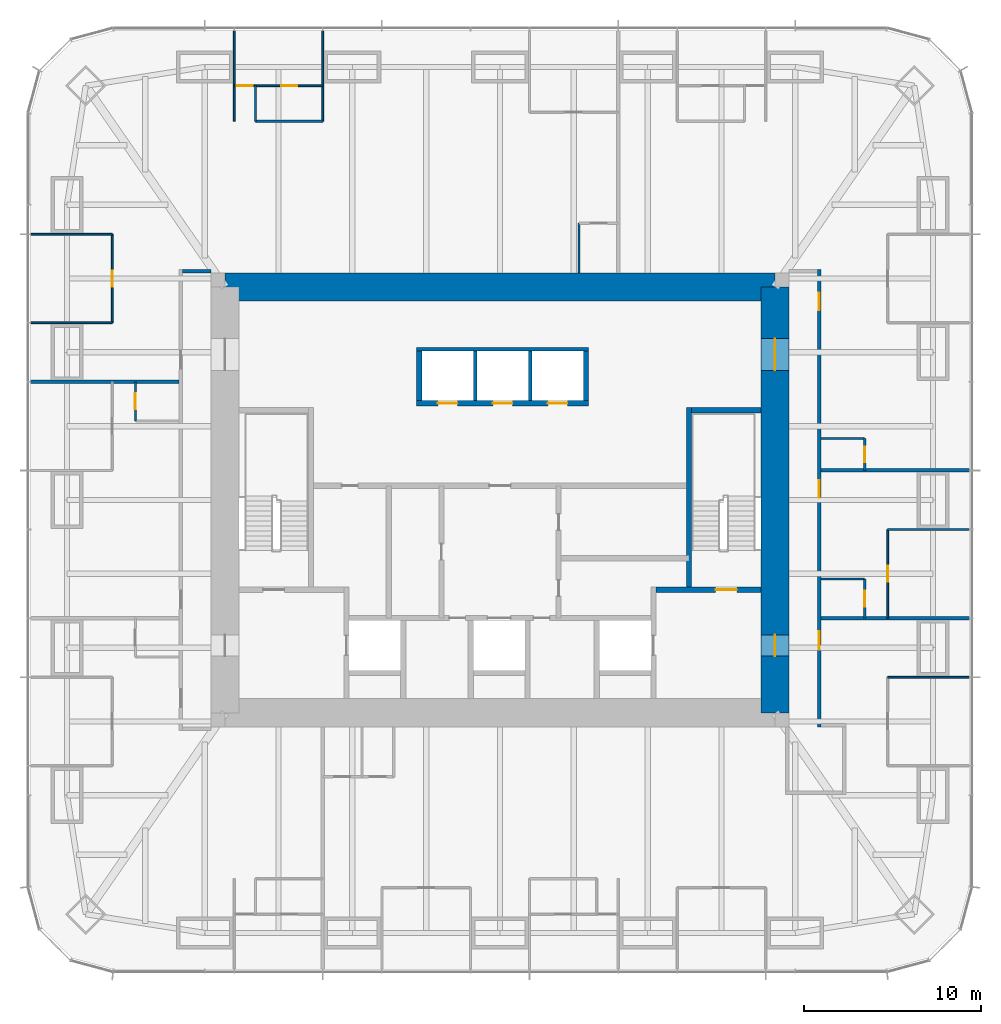
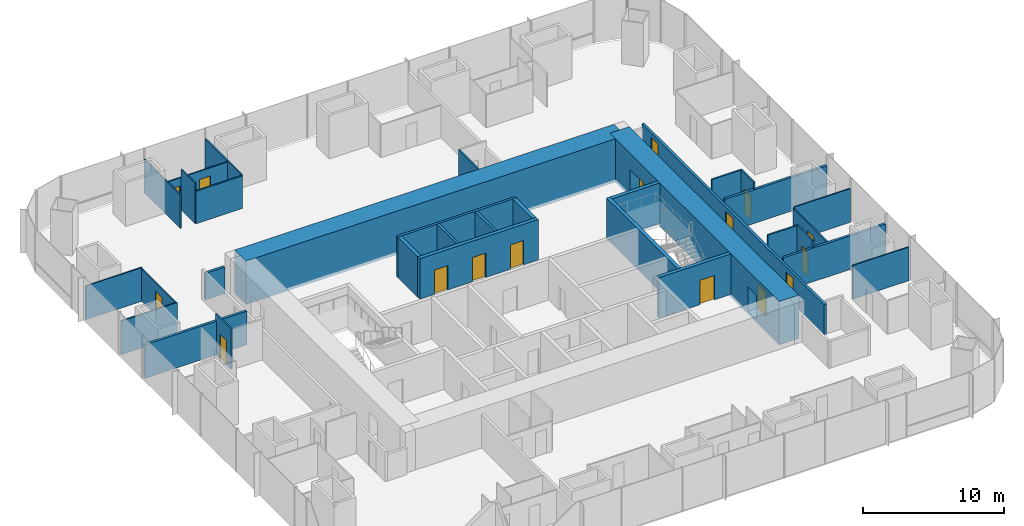
# One storey, part 10 of 12: 33 walls, 16 doors, 16 openings.
"""IFC4 building model written with IfcOpenShell, lengths in metres."""

import ifcopenshell
import ifcopenshell.guid

model = None  # the IFC model being written
_history = None  # IfcOwnerHistory: only IFC2X3 demands one
_inside = {}  # id of a spatial element -> (the spatial element, [elements in it])
_under = {}  # id of a project, library or spatial element -> (it, [spatial elements below it])
_declared = {}  # id of a project -> (the project, [libraries it declares])
_typed = {}  # id of a type object -> (the type object, [elements of that type])
_made_of = {}  # id of a material, layer set ... -> (it, [elements and type objects made of it])


def new_model(schema):
    """Start an empty IFC model of exactly this schema.

    Asked for "IFC4X3", IfcOpenShell would pick the latest addendum, in which some entities
    have other attributes; the version numbers below select the first issue.
    IFC2X3 requires an IfcOwnerHistory on every rooted entity: one is made here for all.
    """
    global model, _history
    if schema == "IFC4X3":
        model = ifcopenshell.file(schema_version=(4, 3, 0, 0))
    else:
        model = ifcopenshell.file(schema=schema)
    _inside.clear()
    _under.clear()
    _declared.clear()
    _typed.clear()
    _made_of.clear()
    _history = None
    if model.schema == "IFC2X3":
        org = make("IfcOrganization", Name="unknown")
        user = make(
            "IfcPersonAndOrganization",
            ThePerson=make("IfcPerson", FamilyName="unknown"),
            TheOrganization=org,
        )
        app = make(
            "IfcApplication",
            ApplicationDeveloper=org,
            Version="unknown",
            ApplicationFullName="unknown",
            ApplicationIdentifier="unknown",
        )
        _history = make(
            "IfcOwnerHistory",
            OwningUser=user,
            OwningApplication=app,
            ChangeAction="ADDED",
            CreationDate=0,
        )
    return model


def make(cls, **values):
    """One entity of the class cls with the attributes given. An attribute that is None is left unset."""
    return model.create_entity(
        cls, **{name: value for name, value in values.items() if value is not None}
    )


def rooted(cls, **values):
    """An entity with a GlobalId (a new one), such as an element, a storey or a relation."""
    return make(cls, GlobalId=ifcopenshell.guid.new(), OwnerHistory=_history, **values)


def si_unit(unit_type, name, prefix=None):
    """IfcSIUnit, for example si_unit("LENGTHUNIT", "METRE", prefix="MILLI")."""
    return make("IfcSIUnit", UnitType=unit_type, Prefix=prefix, Name=name)


def assignment(units):
    """IfcUnitAssignment: the units of a project."""
    return None if units is None else make("IfcUnitAssignment", Units=units)


def point(xyz):
    """IfcCartesianPoint."""
    return None if xyz is None else make("IfcCartesianPoint", Coordinates=xyz)


def direction(xyz):
    """IfcDirection."""
    return None if xyz is None else make("IfcDirection", DirectionRatios=xyz)


def frame(location, z_axis=None, x_axis=None):
    """IfcAxis2Placement3D, a coordinate frame: its origin and axes. An axis left out is left unset."""
    return make(
        "IfcAxis2Placement3D",
        Location=point(location),
        Axis=direction(z_axis),
        RefDirection=direction(x_axis),
    )


def frame_2d(location, x_axis=None):
    """IfcAxis2Placement2D, a coordinate frame in the plane: its origin and x axis."""
    return make(
        "IfcAxis2Placement2D", Location=point(location), RefDirection=direction(x_axis)
    )


def origin():
    """The frame at (0, 0, 0) with its axes left unset."""
    return frame((0.0, 0.0, 0.0))


def place(relative_to, where):
    """IfcLocalPlacement: puts the frame where relative to a parent placement (None: the world)."""
    return make(
        "IfcLocalPlacement", PlacementRelTo=relative_to, RelativePlacement=where
    )


def context(
    kind, dimensions, precision=None, world=None, true_north=None, identifier=None
):
    """IfcGeometricRepresentationContext, for example the 3D "Model" context."""
    return make(
        "IfcGeometricRepresentationContext",
        ContextIdentifier=identifier,
        ContextType=kind,
        CoordinateSpaceDimension=dimensions,
        Precision=precision,
        WorldCoordinateSystem=world,
        TrueNorth=true_north,
    )


def subcontext(parent, identifier, kind, view, scale=None):
    """IfcGeometricRepresentationSubContext, for example "Body" below "Model"."""
    return make(
        "IfcGeometricRepresentationSubContext",
        ContextIdentifier=identifier,
        ContextType=kind,
        ParentContext=parent,
        TargetScale=scale,
        TargetView=view,
    )


def project(units=None, contexts=None):
    """IfcProject with its units and contexts."""
    return rooted(
        "IfcProject",
        Name="project",
        RepresentationContexts=contexts,
        UnitsInContext=assignment(units),
    )


def spatial(cls, under=None, at=None, **own):
    """A site, building, storey or space (cls), placed at a placement, below another one or the project."""
    s = rooted(cls, ObjectPlacement=at, **own)
    if under is not None:
        _under.setdefault(under.id(), (under, []))[1].append(s)
    return s


def profile(cls, at=None, kind="AREA", **sizes):
    """A parametric profile (cls). Its sizes go by their IFC names, for example OverallWidth=200.0."""
    return make(cls, ProfileType=kind, Position=at, **sizes)


def rectangle(**sizes):
    """IfcRectangleProfileDef."""
    return profile("IfcRectangleProfileDef", **sizes)


def extrude(swept, where, along, depth):
    """IfcExtrudedAreaSolid: the profile swept, set in the frame where, extruded along a direction by depth."""
    return make(
        "IfcExtrudedAreaSolid",
        SweptArea=swept,
        Position=where,
        ExtrudedDirection=direction(along),
        Depth=depth,
    )


def shape(context_of_items, identifier, shape_type, items):
    """IfcShapeRepresentation: the items that make up one representation, for example the "Body"."""
    return make(
        "IfcShapeRepresentation",
        ContextOfItems=context_of_items,
        RepresentationIdentifier=identifier,
        RepresentationType=shape_type,
        Items=items,
    )


def material(Name=None, Category=None):
    """IfcMaterial."""
    return make("IfcMaterial", Name=Name, Category=Category)


def layer(
    of_material, thickness, ventilated=None, Name=None, Category=None, Priority=None
):
    """IfcMaterialLayer: one layer of a wall or slab, of a material (None: an air gap)."""
    return make(
        "IfcMaterialLayer",
        Material=of_material,
        LayerThickness=thickness,
        IsVentilated=ventilated,
        Name=Name,
        Category=Category,
        Priority=Priority,
    )


def layer_set(layers, Name=None):
    """IfcMaterialLayerSet."""
    return make("IfcMaterialLayerSet", MaterialLayers=layers, LayerSetName=Name)


def made_of(thing, what):
    """Note that an element or type object is made of a material, layer set ...; save() writes the relation."""
    if what is not None:
        _made_of.setdefault(what.id(), (what, []))[1].append(thing)
    return thing


def type_object(cls, material=None, **own):
    """A type object (cls), such as IfcWallType, which elements share."""
    return made_of(rooted(cls, **own), material)


def element(
    cls,
    number,
    at=None,
    inside=None,
    cuts=None,
    type_object=None,
    material=None,
    context=None,
    identifier="Body",
    shape_type=None,
    held_by="IfcProductDefinitionShape",
    body=None,
    shapes=None,
    **own,
):
    """One element of the class cls, such as IfcWall. Its Tag is "e" and its number.

    at: its placement. inside: the storey or other place that contains it. cuts: it is an
    opening in that element (IfcRelVoidsElement). A single representation is given by context,
    identifier, shape_type and body (its items); several are given by shapes. held_by: the class
    of the entity that holds the representations. save() writes the other relations.
    """
    e = rooted(cls, Tag="e%d" % number, ObjectPlacement=at, **own)
    if body is not None:
        shapes = [shape(context, identifier, shape_type, body)]
    if shapes is not None:
        e.Representation = make(held_by, Representations=shapes)
    if inside is not None:
        _inside.setdefault(inside.id(), (inside, []))[1].append(e)
    if cuts is not None:
        rooted(
            "IfcRelVoidsElement", RelatingBuildingElement=cuts, RelatedOpeningElement=e
        )
    if type_object is not None:
        _typed.setdefault(type_object.id(), (type_object, []))[1].append(e)
    return made_of(e, material)


def fill(opening, filler):
    """IfcRelFillsElement: the door or window that sits in an opening."""
    return rooted(
        "IfcRelFillsElement",
        RelatingOpeningElement=opening,
        RelatedBuildingElement=filler,
    )


def aggregate(whole, parts):
    """IfcRelAggregates: a whole, such as a stair, and the parts it consists of."""
    return rooted("IfcRelAggregates", RelatingObject=whole, RelatedObjects=parts)


def save(model, path):
    """Write the relations noted so far, then the file.

    IfcRelAggregates (storeys below a building ...), IfcRelContainedInSpatialStructure (elements
    in a storey), IfcRelDefinesByType, IfcRelAssociatesMaterial and IfcRelDeclares: one each for
    every whole, place, type object, material and project.
    """
    for whole, parts in _under.values():
        aggregate(whole, parts)
    for where, things in _inside.values():
        rooted(
            "IfcRelContainedInSpatialStructure",
            RelatedElements=things,
            RelatingStructure=where,
        )
    for kind, things in _typed.values():
        rooted("IfcRelDefinesByType", RelatedObjects=things, RelatingType=kind)
    for what, things in _made_of.values():
        rooted("IfcRelAssociatesMaterial", RelatedObjects=things, RelatingMaterial=what)
    for by, libraries in _declared.values():
        rooted("IfcRelDeclares", RelatingContext=by, RelatedDefinitions=libraries)
    model.write(path)


model = new_model("IFC4")

# Units and contexts
model_context = context("Model", 3, precision=1e-05, world=origin(), true_north=direction((0.0, 1.0)))
body_context = subcontext(model_context, "Body", "Model", "MODEL_VIEW")
ifc_project = project(units=[si_unit("LENGTHUNIT", "METRE"), si_unit("AREAUNIT", "SQUARE_METRE"), si_unit("VOLUMEUNIT", "CUBIC_METRE"), si_unit("PLANEANGLEUNIT", "RADIAN"), si_unit("MASSUNIT", "GRAM", prefix="KILO")], contexts=[model_context])

# Site, building, storey
site_placement = place(None, origin())
site = spatial("IfcSite", under=ifc_project, at=site_placement, CompositionType="ELEMENT")
building_placement = place(site_placement, origin())
building = spatial("IfcBuilding", under=site, at=building_placement, Name="Khuree Lantern Residences", CompositionType="ELEMENT")
storey_placement = place(building_placement, frame((0.0, 0.0, 207.0)))
storey = spatial("IfcBuildingStorey", under=building, at=storey_placement, Name="L51", CompositionType="ELEMENT", Elevation=207.0)

# Wall, opening, door
ifc_material_1 = material(Name="Moisture-resistant gypsum board on steel studs", Category="steel")
ifc_layer_1 = layer(ifc_material_1, 0.125)
ifc_layer_set_1 = layer_set([ifc_layer_1], Name="BATHROOM WALL BTW125")
wall_type_1 = type_object("IfcWallType", Name="BATHROOM WALL BTW125", PredefinedType="PARTITIONING", material=ifc_layer_set_1)
wall_1_placement = place(storey_placement, frame((20.550048828125, -6.656005859375, 0.0), z_axis=(0.0, 0.0, 1.0), x_axis=(0.0, 1.0, 0.0)))
wall_1 = element("IfcWall", 1, at=wall_1_placement, inside=storey, type_object=wall_type_1, Name="L51 BATHROOM WALL 01", PredefinedType="PARTITIONING", context=body_context, shape_type="SweptSolid", body=[
    extrude(rectangle(XDim=2.199951171875, YDim=0.125, at=frame_2d((1.10009765625, 0.0))), origin(), (0.0, 0.0, 1.0), 3.5),
])
opening_1_placement = place(wall_1_placement, frame((0.64990234375, 0.0, 0.0)))
opening_1 = element("IfcOpeningElement", 2, at=opening_1_placement, cuts=wall_1, Name="Opening 51-021", PredefinedType="OPENING", context=body_context, shape_type="SweptSolid", body=[
    extrude(rectangle(XDim=0.89990234375, YDim=2.10009765625, at=frame_2d((0.449951171875, 1.050048828125))), frame((0.0, 0.072509765625, 0.0), z_axis=(0.0, -1.0, 0.0), x_axis=(1.0, 0.0, 0.0)), (0.0, 0.0, 1.0), 0.14501953125),
])
ifc_material_2 = material(Name="Timber door leaf in hardwood frame", Category="wood")
door_type_1 = type_object("IfcDoorType", Name="BATHROOM DOOR 900X2100", OperationType="SINGLE_SWING_LEFT", PredefinedType="DOOR", material=ifc_material_2)
door_1_placement = place(opening_1_placement, origin())
door_1 = element("IfcDoor", 3, at=door_1_placement, inside=storey, type_object=door_type_1, Name="Bathroom door 51-021", OperationType="SINGLE_SWING_LEFT", OverallHeight=2.10009765625, OverallWidth=0.89990234375, PredefinedType="DOOR", context=body_context, shape_type="SweptSolid", body=[
    extrude(rectangle(XDim=0.89990234375, YDim=2.10009765625, at=frame_2d((0.449951171875, 1.050048828125))), frame((0.0, 0.02490234375, 0.0), z_axis=(0.0, -1.0, 0.0), x_axis=(1.0, 0.0, 0.0)), (0.0, 0.0, 1.0), 0.050048828125),
])
fill(opening_1, door_1)

# Wall
wall_2_placement = place(storey_placement, frame((18.10009765625, -4.4560546875, 0.0), z_axis=(0.0, 0.0, 1.0), x_axis=(1.0, 0.0, 0.0)))
element("IfcWall", 4, at=wall_2_placement, inside=storey, type_object=wall_type_1, Name="L51 BATHROOM WALL 01", PredefinedType="PARTITIONING", context=body_context, shape_type="SweptSolid", body=[
    extrude(rectangle(XDim=2.449951171875, YDim=0.125, at=frame_2d((1.22509765625, 0.0))), origin(), (0.0, 0.0, 1.0), 3.5),
])

# Wall, opening, door
wall_3_placement = place(storey_placement, frame((20.550048828125, 1.6640625, 0.0), z_axis=(0.0, 0.0, 1.0), x_axis=(0.0, 1.0, 0.0)))
wall_3 = element("IfcWall", 5, at=wall_3_placement, inside=storey, type_object=wall_type_1, Name="L51 BATHROOM WALL 02", PredefinedType="PARTITIONING", context=body_context, shape_type="SweptSolid", body=[
    extrude(rectangle(XDim=1.800048828125, YDim=0.125, at=frame_2d((0.89990234375, 0.0))), origin(), (0.0, 0.0, 1.0), 3.5),
])
opening_2_placement = place(wall_3_placement, frame((0.449951171875, 0.0, 0.0)))
opening_2 = element("IfcOpeningElement", 6, at=opening_2_placement, cuts=wall_3, Name="Opening 51-026", PredefinedType="OPENING", context=body_context, shape_type="SweptSolid", body=[
    extrude(rectangle(XDim=0.89990234375, YDim=2.10009765625, at=frame_2d((0.449951171875, 1.050048828125))), frame((0.0, 0.072509765625, 0.0), z_axis=(0.0, -1.0, 0.0), x_axis=(1.0, 0.0, 0.0)), (0.0, 0.0, 1.0), 0.14501953125),
])
door_2_placement = place(opening_2_placement, origin())
door_2 = element("IfcDoor", 7, at=door_2_placement, inside=storey, type_object=door_type_1, Name="Bathroom door 51-026", OperationType="SINGLE_SWING_LEFT", OverallHeight=2.10009765625, OverallWidth=0.89990234375, PredefinedType="DOOR", context=body_context, shape_type="SweptSolid", body=[
    extrude(rectangle(XDim=0.89990234375, YDim=2.10009765625, at=frame_2d((0.449951171875, 1.050048828125))), frame((0.0, 0.02490234375, 0.0), z_axis=(0.0, -1.0, 0.0), x_axis=(1.0, 0.0, 0.0)), (0.0, 0.0, 1.0), 0.050048828125),
])
fill(opening_2, door_2)

# Walls
wall_4_placement = place(storey_placement, frame((18.10009765625, 3.464111328125, 0.0), z_axis=(0.0, 0.0, 1.0), x_axis=(1.0, 0.0, 0.0)))
element("IfcWall", 8, at=wall_4_placement, inside=storey, type_object=wall_type_1, Name="L51 BATHROOM WALL 02", PredefinedType="PARTITIONING", context=body_context, shape_type="SweptSolid", body=[
    extrude(rectangle(XDim=2.449951171875, YDim=0.125, at=frame_2d((1.22509765625, 0.0))), origin(), (0.0, 0.0, 1.0), 3.5),
])
wall_5_placement = place(storey_placement, frame((-9.98388671875, 21.344970703125, 0.0), z_axis=(0.0, 0.0, 1.0), x_axis=(-1.0, 0.0, 0.0)))
element("IfcWall", 9, at=wall_5_placement, inside=storey, type_object=wall_type_1, Name="L51 BATHROOM WALL 03", PredefinedType="PARTITIONING", context=body_context, shape_type="SweptSolid", body=[
    extrude(rectangle(XDim=3.7919921875, YDim=0.125, at=frame_2d((1.89599609375, 0.0))), origin(), (0.0, 0.0, 1.0), 2.81005859375),
])
wall_6_placement = place(storey_placement, frame((4.4560546875, 12.800048828125, 0.0), z_axis=(0.0, 0.0, 1.0), x_axis=(0.0, 1.0, 0.0)))
element("IfcWall", 10, at=wall_6_placement, inside=storey, type_object=wall_type_1, Name="L51 BATHROOM WALL 03", PredefinedType="PARTITIONING", context=body_context, shape_type="SweptSolid", body=[
    extrude(rectangle(XDim=2.800048828125, YDim=0.125, at=frame_2d((1.39990234375, 0.0))), origin(), (0.0, 0.0, 1.0), 3.5),
])

# Wall, opening, door
wall_7_placement = place(storey_placement, frame((-20.550048828125, 6.656005859375, 0.0), z_axis=(0.0, 0.0, 1.0), x_axis=(0.0, -1.0, 0.0)))
wall_7 = element("IfcWall", 11, at=wall_7_placement, inside=storey, type_object=wall_type_1, Name="L51 BATHROOM WALL 04", PredefinedType="PARTITIONING", context=body_context, shape_type="SweptSolid", body=[
    extrude(rectangle(XDim=2.199951171875, YDim=0.125, at=frame_2d((1.10009765625, 0.0))), origin(), (0.0, 0.0, 1.0), 3.5),
])
opening_3_placement = place(wall_7_placement, frame((0.64990234375, 0.0, 0.0)))
opening_3 = element("IfcOpeningElement", 12, at=opening_3_placement, cuts=wall_7, Name="Opening 51-035", PredefinedType="OPENING", context=body_context, shape_type="SweptSolid", body=[
    extrude(rectangle(XDim=0.89990234375, YDim=2.10009765625, at=frame_2d((0.449951171875, 1.050048828125))), frame((0.0, 0.072509765625, 0.0), z_axis=(0.0, -1.0, 0.0), x_axis=(1.0, 0.0, 0.0)), (0.0, 0.0, 1.0), 0.14501953125),
])
door_3_placement = place(opening_3_placement, origin())
door_3 = element("IfcDoor", 13, at=door_3_placement, inside=storey, type_object=door_type_1, Name="Bathroom door 51-035", OperationType="SINGLE_SWING_LEFT", OverallHeight=2.10009765625, OverallWidth=0.89990234375, PredefinedType="DOOR", context=body_context, shape_type="SweptSolid", body=[
    extrude(rectangle(XDim=0.89990234375, YDim=2.10009765625, at=frame_2d((0.449951171875, 1.050048828125))), frame((0.0, 0.02490234375, 0.0), z_axis=(0.0, -1.0, 0.0), x_axis=(1.0, 0.0, 0.0)), (0.0, 0.0, 1.0), 0.050048828125),
])
fill(opening_3, door_3)

# Wall, openings, doors
ifc_material_3 = material(Name="Dense concrete blockwork", Category="masonry")
ifc_layer_2 = layer(ifc_material_3, 0.300048828125)
ifc_layer_set_2 = layer_set([ifc_layer_2], Name="CORE PARTITION WALL CPW300 EI 120")
wall_type_2 = type_object("IfcWallType", Name="CORE PARTITION WALL CPW300 EI 120", PredefinedType="PARTITIONING", material=ifc_layer_set_2)
wall_8_placement = place(storey_placement, frame((-4.699951171875, 5.449951171875, 0.0), z_axis=(0.0, 0.0, 1.0), x_axis=(1.0, 0.0, 0.0)))
wall_8 = element("IfcWall", 14, at=wall_8_placement, inside=storey, type_object=wall_type_2, Name="L51 CORE WALL PHS", PredefinedType="PARTITIONING", context=body_context, shape_type="SweptSolid", body=[
    extrude(rectangle(XDim=9.699951171875, YDim=0.300048828125, at=frame_2d((4.85009765625, 0.0))), origin(), (0.0, 0.0, 1.0), 3.5),
])
opening_4_placement = place(wall_8_placement, frame((1.199951171875, 0.0, 0.0)))
opening_4 = element("IfcOpeningElement", 15, at=opening_4_placement, cuts=wall_8, Name="Opening 51-009", PredefinedType="OPENING", context=body_context, shape_type="SweptSolid", body=[
    extrude(rectangle(XDim=1.10009765625, YDim=2.10009765625, at=frame_2d((0.550048828125, 1.050048828125))), frame((0.0, 0.16015625, 0.0), z_axis=(0.0, -1.0, 0.0), x_axis=(1.0, 0.0, 0.0)), (0.0, 0.0, 1.0), 0.320068359375),
])
opening_5_placement = place(wall_8_placement, frame((4.300048828125, 0.0, 0.0)))
opening_5 = element("IfcOpeningElement", 16, at=opening_5_placement, cuts=wall_8, Name="Opening 51-010", PredefinedType="OPENING", context=body_context, shape_type="SweptSolid", body=[
    extrude(rectangle(XDim=1.10009765625, YDim=2.10009765625, at=frame_2d((0.550048828125, 1.050048828125))), frame((0.0, 0.16015625, 0.0), z_axis=(0.0, -1.0, 0.0), x_axis=(1.0, 0.0, 0.0)), (0.0, 0.0, 1.0), 0.320068359375),
])
opening_6_placement = place(wall_8_placement, frame((7.39990234375, 0.0, 0.0)))
opening_6 = element("IfcOpeningElement", 17, at=opening_6_placement, cuts=wall_8, Name="Opening 51-011", PredefinedType="OPENING", context=body_context, shape_type="SweptSolid", body=[
    extrude(rectangle(XDim=1.10009765625, YDim=2.10009765625, at=frame_2d((0.550048828125, 1.050048828125))), frame((0.0, 0.16015625, 0.0), z_axis=(0.0, -1.0, 0.0), x_axis=(1.0, 0.0, 0.0)), (0.0, 0.0, 1.0), 0.320068359375),
])
ifc_material_4 = material(Name="Stainless steel lift landing door", Category="steel")
door_type_2 = type_object("IfcDoorType", Name="LIFT LANDING DOOR 1100X2100 E 60", OperationType="DOUBLE_DOOR_SLIDING", PredefinedType="DOOR", material=ifc_material_4)
door_4_placement = place(opening_4_placement, origin())
door_4 = element("IfcDoor", 18, at=door_4_placement, inside=storey, type_object=door_type_2, Name="Landing door PH1 51-009", OperationType="DOUBLE_DOOR_SLIDING", OverallHeight=2.10009765625, OverallWidth=1.10009765625, PredefinedType="DOOR", context=body_context, shape_type="SweptSolid", body=[
    extrude(rectangle(XDim=1.10009765625, YDim=2.10009765625, at=frame_2d((0.550048828125, 1.050048828125))), frame((0.0, 0.02490234375, 0.0), z_axis=(0.0, -1.0, 0.0), x_axis=(1.0, 0.0, 0.0)), (0.0, 0.0, 1.0), 0.050048828125),
])
fill(opening_4, door_4)
door_5_placement = place(opening_5_placement, origin())
door_5 = element("IfcDoor", 19, at=door_5_placement, inside=storey, type_object=door_type_2, Name="Landing door PH2 51-010", OperationType="DOUBLE_DOOR_SLIDING", OverallHeight=2.10009765625, OverallWidth=1.10009765625, PredefinedType="DOOR", context=body_context, shape_type="SweptSolid", body=[
    extrude(rectangle(XDim=1.10009765625, YDim=2.10009765625, at=frame_2d((0.550048828125, 1.050048828125))), frame((0.0, 0.02490234375, 0.0), z_axis=(0.0, -1.0, 0.0), x_axis=(1.0, 0.0, 0.0)), (0.0, 0.0, 1.0), 0.050048828125),
])
fill(opening_5, door_5)
door_6_placement = place(opening_6_placement, origin())
door_6 = element("IfcDoor", 20, at=door_6_placement, inside=storey, type_object=door_type_2, Name="Landing door PH3 51-011", OperationType="DOUBLE_DOOR_SLIDING", OverallHeight=2.10009765625, OverallWidth=1.10009765625, PredefinedType="DOOR", context=body_context, shape_type="SweptSolid", body=[
    extrude(rectangle(XDim=1.10009765625, YDim=2.10009765625, at=frame_2d((0.550048828125, 1.050048828125))), frame((0.0, 0.02490234375, 0.0), z_axis=(0.0, -1.0, 0.0), x_axis=(1.0, 0.0, 0.0)), (0.0, 0.0, 1.0), 0.050048828125),
])
fill(opening_6, door_6)

# Walls
for number, where, z_axis, x_axis, name in (
    (21, (-4.550048828125, 5.60009765625, 0.0), (0.0, 0.0, 1.0), (0.0, 1.0, 0.0), "L51 CORE WALL PHW"),
    (22, (4.85009765625, 5.60009765625, 0.0), (0.0, 0.0, 1.0), (0.0, 1.0, 0.0), "L51 CORE WALL PHE"),
):
    element("IfcWall", number, at=place(storey_placement, frame(where, z_axis=z_axis, x_axis=x_axis)), inside=storey, type_object=wall_type_2, Name=name, PredefinedType="PARTITIONING", context=body_context, shape_type="SweptSolid", body=[
        extrude(rectangle(XDim=2.7998046875, YDim=0.300048828125, at=frame_2d((1.39990234375, 0.0))), origin(), (0.0, 0.0, 1.0), 3.5),
    ])
ifc_material_5 = material(Name="Gypsum board on steel studs", Category="steel")
ifc_layer_3 = layer(ifc_material_5, 0.199951171875)
ifc_layer_set_3 = layer_set([ifc_layer_3], Name="CORRIDOR WALL CRW200 EI 60")
wall_type_3 = type_object("IfcWallType", Name="CORRIDOR WALL CRW200 EI 60", PredefinedType="PARTITIONING", material=ifc_layer_set_3)
wall_9_placement = place(storey_placement, frame((-16.300048828125, 12.89990234375, 0.0), z_axis=(0.0, 0.0, 1.0), x_axis=(-1.0, 0.0, 0.0)))
element("IfcWall", 23, at=wall_9_placement, inside=storey, type_object=wall_type_3, Name="L51 WEST CORRIDOR NORTH END WALL", PredefinedType="PARTITIONING", context=body_context, shape_type="SweptSolid", body=[
    extrude(rectangle(XDim=1.599853515625, YDim=0.199951171875, at=frame_2d((0.7998046875, 0.0))), origin(), (0.0, 0.0, 1.0), 2.300048828125),
])

# Wall, openings, doors
wall_10_placement = place(storey_placement, frame((18.0, -12.800048828125, 0.0), z_axis=(0.0, 0.0, 1.0), x_axis=(0.0, 1.0, 0.0)))
wall_10 = element("IfcWall", 24, at=wall_10_placement, inside=storey, type_object=wall_type_3, Name="L51 CORRIDOR WALL EAST 1", PredefinedType="PARTITIONING", context=body_context, shape_type="SweptSolid", body=[
    extrude(rectangle(XDim=25.800048828125, YDim=0.199951171875, at=frame_2d((12.89990234375, 0.0))), origin(), (0.0, 0.0, 1.0), 2.60009765625),
])
opening_7_placement = place(wall_10_placement, frame((12.9140625, 0.0, 0.0)))
opening_7 = element("IfcOpeningElement", 25, at=opening_7_placement, cuts=wall_10, Name="Opening 51-022", PredefinedType="OPENING", context=body_context, shape_type="SweptSolid", body=[
    extrude(rectangle(XDim=1.0, YDim=2.199951171875, at=frame_2d((0.5, 1.10009765625))), frame((0.0, 0.10986328125, 0.0), z_axis=(0.0, -1.0, 0.0), x_axis=(1.0, 0.0, 0.0)), (0.0, 0.0, 1.0), 0.219970703125),
])
opening_8_placement = place(wall_10_placement, frame((23.48388671875, 0.0, 0.0)))
opening_8 = element("IfcOpeningElement", 26, at=opening_8_placement, cuts=wall_10, Name="Opening 51-027", PredefinedType="OPENING", context=body_context, shape_type="SweptSolid", body=[
    extrude(rectangle(XDim=1.0, YDim=2.199951171875, at=frame_2d((0.5, 1.10009765625))), frame((0.0, 0.10986328125, 0.0), z_axis=(0.0, -1.0, 0.0), x_axis=(1.0, 0.0, 0.0)), (0.0, 0.0, 1.0), 0.219970703125),
])
opening_9_placement = place(wall_10_placement, frame((4.39990234375, 0.0, 0.0)))
opening_9 = element("IfcOpeningElement", 27, at=opening_9_placement, cuts=wall_10, Name="Opening 51-049", PredefinedType="OPENING", context=body_context, shape_type="SweptSolid", body=[
    extrude(rectangle(XDim=1.0, YDim=2.199951171875, at=frame_2d((0.5, 1.10009765625))), frame((0.0, 0.10986328125, 0.0), z_axis=(0.0, -1.0, 0.0), x_axis=(1.0, 0.0, 0.0)), (0.0, 0.0, 1.0), 0.219970703125),
])
door_type_3 = type_object("IfcDoorType", Name="APARTMENT ENTRANCE DOOR 1000X2200 EI 30S", OperationType="SINGLE_SWING_LEFT", PredefinedType="DOOR", material=ifc_material_2)
door_7_placement = place(opening_7_placement, origin())
door_7 = element("IfcDoor", 28, at=door_7_placement, inside=storey, type_object=door_type_3, Name="Apartment 01 entrance door 51-022", OperationType="SINGLE_SWING_LEFT", OverallHeight=2.199951171875, OverallWidth=1.0, PredefinedType="DOOR", context=body_context, shape_type="SweptSolid", body=[
    extrude(rectangle(XDim=1.0, YDim=2.199951171875, at=frame_2d((0.5, 1.10009765625))), frame((0.0, 0.02490234375, 0.0), z_axis=(0.0, -1.0, 0.0), x_axis=(1.0, 0.0, 0.0)), (0.0, 0.0, 1.0), 0.050048828125),
])
fill(opening_7, door_7)
door_8_placement = place(opening_9_placement, origin())
door_8 = element("IfcDoor", 29, at=door_8_placement, inside=storey, type_object=door_type_3, Name="Apartment 06 entrance door 51-049", OperationType="SINGLE_SWING_LEFT", OverallHeight=2.199951171875, OverallWidth=1.0, PredefinedType="DOOR", context=body_context, shape_type="SweptSolid", body=[
    extrude(rectangle(XDim=1.0, YDim=2.199951171875, at=frame_2d((0.5, 1.10009765625))), frame((0.0, 0.02490234375, 0.0), z_axis=(0.0, -1.0, 0.0), x_axis=(1.0, 0.0, 0.0)), (0.0, 0.0, 1.0), 0.050048828125),
])
fill(opening_9, door_8)
door_type_4 = type_object("IfcDoorType", Name="APARTMENT ENTRANCE DOOR 1000X2200 EI 30S RIGHT HAND", OperationType="SINGLE_SWING_RIGHT", PredefinedType="DOOR", material=ifc_material_2)
door_9_placement = place(opening_8_placement, origin())
door_9 = element("IfcDoor", 30, at=door_9_placement, inside=storey, type_object=door_type_4, Name="Apartment 02 entrance door 51-027", OperationType="SINGLE_SWING_RIGHT", OverallHeight=2.199951171875, OverallWidth=1.0, PredefinedType="DOOR", context=body_context, shape_type="SweptSolid", body=[
    extrude(rectangle(XDim=1.0, YDim=2.199951171875, at=frame_2d((0.5, 1.10009765625))), frame((0.0, 0.02490234375, 0.0), z_axis=(0.0, -1.0, 0.0), x_axis=(1.0, 0.0, 0.0)), (0.0, 0.0, 1.0), 0.050048828125),
])
fill(opening_8, door_9)

ifc_material_6 = material(Name="Concrete C50/60", Category="concrete")
ifc_layer_4 = layer(ifc_material_6, 1.60009765625)
ifc_layer_set_4 = layer_set([ifc_layer_4], Name="CW1600-C50 CORE WALL C50 1600")
wall_type_4 = type_object("IfcWallType", Name="CW1600-C50 CORE WALL C50 1600", PredefinedType="SHEAR", material=ifc_layer_set_4)
wall_11_placement = place(storey_placement, frame((15.5, -12.0, -0.25), z_axis=(0.0, 0.0, 1.0), x_axis=(0.0, 1.0, 0.0)))
wall_11 = element("IfcWall", 31, at=wall_11_placement, inside=storey, type_object=wall_type_4, Name="Core wall E", PredefinedType="SHEAR", context=body_context, shape_type="SweptSolid", body=[
    extrude(rectangle(XDim=24.0, YDim=1.60009765625, at=frame_2d((12.0, 0.0))), origin(), (0.0, 0.0, 1.0), 3.75),
])
opening_10_placement = place(wall_11_placement, frame((3.199951171875, 0.0, 0.25)))
opening_10 = element("IfcOpeningElement", 32, at=opening_10_placement, cuts=wall_11, Name="Opening 51-005", PredefinedType="OPENING", context=body_context, shape_type="SweptSolid", body=[
    extrude(rectangle(XDim=1.199951171875, YDim=2.10009765625, at=frame_2d((0.60009765625, 1.050048828125))), frame((0.0, 0.81005859375, 0.0), z_axis=(0.0, -1.0, 0.0), x_axis=(1.0, 0.0, 0.0)), (0.0, 0.0, 1.0), 1.6201171875),
])
opening_11_placement = place(wall_11_placement, frame((19.300048828125, 0.0, 0.25)))
opening_11 = element("IfcOpeningElement", 33, at=opening_11_placement, cuts=wall_11, Name="Opening 51-006", PredefinedType="OPENING", context=body_context, shape_type="SweptSolid", body=[
    extrude(rectangle(XDim=1.800048828125, YDim=2.10009765625, at=frame_2d((0.89990234375, 1.050048828125))), frame((0.0, 0.81005859375, 0.0), z_axis=(0.0, -1.0, 0.0), x_axis=(1.0, 0.0, 0.0)), (0.0, 0.0, 1.0), 1.6201171875),
])
ifc_material_7 = material(Name="Steel door leaf in steel frame", Category="steel")
door_type_5 = type_object("IfcDoorType", Name="LOBBY DOOR 1200X2100 EI 120", OperationType="SINGLE_SWING_LEFT", PredefinedType="DOOR", material=ifc_material_7)
door_10_placement = place(opening_10_placement, origin())
door_10 = element("IfcDoor", 34, at=door_10_placement, inside=storey, type_object=door_type_5, Name="Firefighting lobby door 51-005", OperationType="SINGLE_SWING_LEFT", OverallHeight=2.10009765625, OverallWidth=1.199951171875, PredefinedType="DOOR", context=body_context, shape_type="SweptSolid", body=[
    extrude(rectangle(XDim=1.199951171875, YDim=2.10009765625, at=frame_2d((0.60009765625, 1.050048828125))), frame((0.0, 0.02490234375, 0.0), z_axis=(0.0, -1.0, 0.0), x_axis=(1.0, 0.0, 0.0)), (0.0, 0.0, 1.0), 0.050048828125),
])
fill(opening_10, door_10)
door_type_6 = type_object("IfcDoorType", Name="LOBBY DOUBLE DOOR 1800X2100 EI 60", OperationType="DOUBLE_DOOR_SINGLE_SWING", PredefinedType="DOOR", material=ifc_material_7)
door_11_placement = place(opening_11_placement, origin())
door_11 = element("IfcDoor", 35, at=door_11_placement, inside=storey, type_object=door_type_6, Name="Lift lobby door 51-006", OperationType="DOUBLE_DOOR_SINGLE_SWING", OverallHeight=2.10009765625, OverallWidth=1.800048828125, PredefinedType="DOOR", context=body_context, shape_type="SweptSolid", body=[
    extrude(rectangle(XDim=1.800048828125, YDim=2.10009765625, at=frame_2d((0.89990234375, 1.050048828125))), frame((0.0, 0.02490234375, 0.0), z_axis=(0.0, -1.0, 0.0), x_axis=(1.0, 0.0, 0.0)), (0.0, 0.0, 1.0), 0.050048828125),
])
fill(opening_11, door_11)

# Walls
wall_12_placement = place(storey_placement, frame((-15.5, 12.0, -0.25), z_axis=(0.0, 0.0, 1.0), x_axis=(1.0, 0.0, 0.0)))
element("IfcWall", 36, at=wall_12_placement, inside=storey, type_object=wall_type_4, Name="Core wall N", PredefinedType="SHEAR", context=body_context, shape_type="SweptSolid", body=[
    extrude(rectangle(XDim=31.0, YDim=1.60009765625, at=frame_2d((15.5, 0.0))), origin(), (0.0, 0.0, 1.0), 3.75),
])
ifc_layer_5 = layer(ifc_material_5, 0.199951171875)
ifc_layer_set_5 = layer_set([ifc_layer_5], Name="DEMISING WALL DMW200 EI 90")
wall_type_5 = type_object("IfcWallType", Name="DEMISING WALL DMW200 EI 90", PredefinedType="PARTITIONING", material=ifc_layer_set_5)
for number, where, z_axis, x_axis, name in (
    (37, (18.10009765625, -6.656005859375, 0.0), (0.0, 0.0, 1.0), (1.0, 0.0, 0.0), "L51 DEMISING WALL 01"),
    (38, (18.10009765625, 1.6640625, 0.0), (0.0, 0.0, 1.0), (1.0, 0.0, 0.0), "L51 DEMISING WALL 02"),
    (39, (-18.10009765625, 6.656005859375, 0.0), (0.0, 0.0, 1.0), (-1.0, 0.0, 0.0), "L51 DEMISING WALL 04"),
):
    element("IfcWall", number, at=place(storey_placement, frame(where, z_axis=z_axis, x_axis=x_axis)), inside=storey, type_object=wall_type_5, Name=name, PredefinedType="PARTITIONING", context=body_context, shape_type="SweptSolid", body=[
        extrude(rectangle(XDim=8.349853515625, YDim=0.199951171875, at=frame_2d((4.1748046875, 0.0))), origin(), (0.0, 0.0, 1.0), 2.909912109375),
    ])
ifc_layer_6 = layer(ifc_material_5, 0.10009765625)
ifc_layer_set_6 = layer_set([ifc_layer_6], Name="PARTITION PT100")
wall_type_6 = type_object("IfcWallType", Name="PARTITION PT100", PredefinedType="PARTITIONING", material=ifc_layer_set_6)
wall_13_placement = place(storey_placement, frame((21.85009765625, -1.6640625, 0.0), z_axis=(0.0, 0.0, 1.0), x_axis=(1.0, 0.0, 0.0)))
element("IfcWall", 40, at=wall_13_placement, inside=storey, type_object=wall_type_6, Name="L51 PARTITION 01", PredefinedType="PARTITIONING", context=body_context, shape_type="SweptSolid", body=[
    extrude(rectangle(XDim=4.599853515625, YDim=0.10009765625, at=frame_2d((2.2998046875, 0.0))), origin(), (0.0, 0.0, 1.0), 2.909912109375),
])
for number, where, z_axis, x_axis, name in (
    (41, (-9.98388671875, 21.344970703125, 0.0), (0.0, 0.0, 1.0), (0.0, 1.0, 0.0), "L51 PARTITION 03"),
    (42, (-14.97607421875, 21.344970703125, 0.0), (0.0, 0.0, 1.0), (0.0, 1.0, 0.0), "L51 PARTITION 03"),
):
    element("IfcWall", number, at=place(storey_placement, frame(where, z_axis=z_axis, x_axis=x_axis)), inside=storey, type_object=wall_type_6, Name=name, PredefinedType="PARTITIONING", context=body_context, shape_type="SweptSolid", body=[
        extrude(rectangle(XDim=5.10498046875, YDim=0.10009765625, at=frame_2d((2.552490234375, 0.0))), origin(), (0.0, 0.0, 1.0), 2.909912109375),
    ])
for number, where, z_axis, x_axis, name in (
    (43, (-21.85009765625, 14.97607421875, 0.0), (0.0, 0.0, 1.0), (-1.0, 0.0, 0.0), "L51 PARTITION 03"),
    (44, (-21.85009765625, 9.98388671875, 0.0), (0.0, 0.0, 1.0), (-1.0, 0.0, 0.0), "L51 PARTITION 03"),
    (45, (21.85009765625, -9.98388671875, 0.0), (0.0, 0.0, 1.0), (1.0, 0.0, 0.0), "L51 PARTITION 06"),
):
    element("IfcWall", number, at=place(storey_placement, frame(where, z_axis=z_axis, x_axis=x_axis)), inside=storey, type_object=wall_type_6, Name=name, PredefinedType="PARTITIONING", context=body_context, shape_type="SweptSolid", body=[
        extrude(rectangle(XDim=4.599853515625, YDim=0.10009765625, at=frame_2d((2.2998046875, 0.0))), origin(), (0.0, 0.0, 1.0), 2.909912109375),
    ])

# Wall, opening, door
wall_14_placement = place(storey_placement, frame((21.85009765625, -6.656005859375, 0.0), z_axis=(0.0, 0.0, 1.0), x_axis=(0.0, 1.0, 0.0)))
wall_14 = element("IfcWall", 46, at=wall_14_placement, inside=storey, type_object=wall_type_6, Name="L51 PARTITION 01", PredefinedType="PARTITIONING", context=body_context, shape_type="SweptSolid", body=[
    extrude(rectangle(XDim=4.991943359375, YDim=0.10009765625, at=frame_2d((2.49609375, 0.0))), origin(), (0.0, 0.0, 1.0), 2.81005859375),
])
opening_12_placement = place(wall_14_placement, frame((2.0458984375, 0.0, 0.0)))
opening_12 = element("IfcOpeningElement", 47, at=opening_12_placement, cuts=wall_14, Name="Opening 51-020", PredefinedType="OPENING", context=body_context, shape_type="SweptSolid", body=[
    extrude(rectangle(XDim=0.89990234375, YDim=2.10009765625, at=frame_2d((0.449951171875, 1.050048828125))), frame((0.0, 0.06005859375, 0.0), z_axis=(0.0, -1.0, 0.0), x_axis=(1.0, 0.0, 0.0)), (0.0, 0.0, 1.0), 0.1201171875),
])
door_type_7 = type_object("IfcDoorType", Name="BEDROOM DOOR 900X2100", OperationType="SINGLE_SWING_LEFT", PredefinedType="DOOR", material=ifc_material_2)
door_12_placement = place(opening_12_placement, origin())
door_12 = element("IfcDoor", 48, at=door_12_placement, inside=storey, type_object=door_type_7, Name="Bedroom door 51-020", OperationType="SINGLE_SWING_LEFT", OverallHeight=2.10009765625, OverallWidth=0.89990234375, PredefinedType="DOOR", context=body_context, shape_type="SweptSolid", body=[
    extrude(rectangle(XDim=0.89990234375, YDim=2.10009765625, at=frame_2d((0.449951171875, 1.050048828125))), frame((0.0, 0.02490234375, 0.0), z_axis=(0.0, -1.0, 0.0), x_axis=(1.0, 0.0, 0.0)), (0.0, 0.0, 1.0), 0.050048828125),
])
fill(opening_12, door_12)

# Wall, openings, doors
wall_15_placement = place(storey_placement, frame((-9.98388671875, 23.344970703125, 0.0), z_axis=(0.0, 0.0, 1.0), x_axis=(-1.0, 0.0, 0.0)))
wall_15 = element("IfcWall", 49, at=wall_15_placement, inside=storey, type_object=wall_type_6, Name="L51 PARTITION 03", PredefinedType="PARTITIONING", context=body_context, shape_type="SweptSolid", body=[
    extrude(rectangle(XDim=4.9921875, YDim=0.10009765625, at=frame_2d((2.49609375, 0.0))), origin(), (0.0, 0.0, 1.0), 2.81005859375),
])
opening_13_placement = place(wall_15_placement, frame((3.94189453125, 0.0, 0.0)))
opening_13 = element("IfcOpeningElement", 50, at=opening_13_placement, cuts=wall_15, Name="Opening 51-029", PredefinedType="OPENING", context=body_context, shape_type="SweptSolid", body=[
    extrude(rectangle(XDim=0.89990234375, YDim=2.10009765625, at=frame_2d((0.449951171875, 1.050048828125))), frame((0.0, 0.06005859375, 0.0), z_axis=(0.0, -1.0, 0.0), x_axis=(1.0, 0.0, 0.0)), (0.0, 0.0, 1.0), 0.1201171875),
])
opening_14_placement = place(wall_15_placement, frame((1.446044921875, 0.0, 0.0)))
opening_14 = element("IfcOpeningElement", 51, at=opening_14_placement, cuts=wall_15, Name="Opening 51-030", PredefinedType="OPENING", context=body_context, shape_type="SweptSolid", body=[
    extrude(rectangle(XDim=0.89990234375, YDim=2.10009765625, at=frame_2d((0.449951171875, 1.050048828125))), frame((0.0, 0.06005859375, 0.0), z_axis=(0.0, -1.0, 0.0), x_axis=(1.0, 0.0, 0.0)), (0.0, 0.0, 1.0), 0.1201171875),
])
door_13_placement = place(opening_14_placement, origin())
door_13 = element("IfcDoor", 52, at=door_13_placement, inside=storey, type_object=door_type_1, Name="Bathroom door 51-030", OperationType="SINGLE_SWING_LEFT", OverallHeight=2.10009765625, OverallWidth=0.89990234375, PredefinedType="DOOR", context=body_context, shape_type="SweptSolid", body=[
    extrude(rectangle(XDim=0.89990234375, YDim=2.10009765625, at=frame_2d((0.449951171875, 1.050048828125))), frame((0.0, 0.02490234375, 0.0), z_axis=(0.0, -1.0, 0.0), x_axis=(1.0, 0.0, 0.0)), (0.0, 0.0, 1.0), 0.050048828125),
])
fill(opening_14, door_13)
door_14_placement = place(opening_13_placement, origin())
door_14 = element("IfcDoor", 53, at=door_14_placement, inside=storey, type_object=door_type_7, Name="Bedroom door 51-029", OperationType="SINGLE_SWING_LEFT", OverallHeight=2.10009765625, OverallWidth=0.89990234375, PredefinedType="DOOR", context=body_context, shape_type="SweptSolid", body=[
    extrude(rectangle(XDim=0.89990234375, YDim=2.10009765625, at=frame_2d((0.449951171875, 1.050048828125))), frame((0.0, 0.02490234375, 0.0), z_axis=(0.0, -1.0, 0.0), x_axis=(1.0, 0.0, 0.0)), (0.0, 0.0, 1.0), 0.050048828125),
])
fill(opening_13, door_14)

# Wall
wall_16_placement = place(storey_placement, frame((-13.77587890625, 21.344970703125, 0.0), z_axis=(0.0, 0.0, 1.0), x_axis=(0.0, 1.0, 0.0)))
element("IfcWall", 54, at=wall_16_placement, inside=storey, type_object=wall_type_6, Name="L51 PARTITION 03", PredefinedType="PARTITIONING", context=body_context, shape_type="SweptSolid", body=[
    extrude(rectangle(XDim=2.0, YDim=0.10009765625, at=frame_2d((1.0, 0.0))), origin(), (0.0, 0.0, 1.0), 3.5),
])

# Wall, opening, door
wall_17_placement = place(storey_placement, frame((-21.85009765625, 14.97607421875, 0.0), z_axis=(0.0, 0.0, 1.0), x_axis=(0.0, -1.0, 0.0)))
wall_17 = element("IfcWall", 55, at=wall_17_placement, inside=storey, type_object=wall_type_6, Name="L51 PARTITION 03", PredefinedType="PARTITIONING", context=body_context, shape_type="SweptSolid", body=[
    extrude(rectangle(XDim=4.9921875, YDim=0.10009765625, at=frame_2d((2.49609375, 0.0))), origin(), (0.0, 0.0, 1.0), 2.81005859375),
])
opening_15_placement = place(wall_17_placement, frame((2.0458984375, 0.0, 0.0)))
opening_15 = element("IfcOpeningElement", 56, at=opening_15_placement, cuts=wall_17, Name="Opening 51-031", PredefinedType="OPENING", context=body_context, shape_type="SweptSolid", body=[
    extrude(rectangle(XDim=0.89990234375, YDim=2.10009765625, at=frame_2d((0.449951171875, 1.050048828125))), frame((0.0, 0.06005859375, 0.0), z_axis=(0.0, -1.0, 0.0), x_axis=(1.0, 0.0, 0.0)), (0.0, 0.0, 1.0), 0.1201171875),
])
door_15_placement = place(opening_15_placement, origin())
door_15 = element("IfcDoor", 57, at=door_15_placement, inside=storey, type_object=door_type_7, Name="Bedroom door 51-031", OperationType="SINGLE_SWING_LEFT", OverallHeight=2.10009765625, OverallWidth=0.89990234375, PredefinedType="DOOR", context=body_context, shape_type="SweptSolid", body=[
    extrude(rectangle(XDim=0.89990234375, YDim=2.10009765625, at=frame_2d((0.449951171875, 1.050048828125))), frame((0.0, 0.02490234375, 0.0), z_axis=(0.0, -1.0, 0.0), x_axis=(1.0, 0.0, 0.0)), (0.0, 0.0, 1.0), 0.050048828125),
])
fill(opening_15, door_15)

# Walls
ifc_layer_7 = layer(ifc_material_3, 0.199951171875)
ifc_layer_set_7 = layer_set([ifc_layer_7], Name="SHAFT WALL SHW200 EI 120")
wall_type_7 = type_object("IfcWallType", Name="SHAFT WALL SHW200 EI 120", PredefinedType="PARTITIONING", material=ifc_layer_set_7)
wall_18_placement = place(storey_placement, frame((-4.699951171875, 8.5, 0.0), z_axis=(0.0, 0.0, 1.0), x_axis=(1.0, 0.0, 0.0)))
element("IfcWall", 58, at=wall_18_placement, inside=storey, type_object=wall_type_7, Name="L51 CORE WALL PHN", PredefinedType="PARTITIONING", context=body_context, shape_type="SweptSolid", body=[
    extrude(rectangle(XDim=9.699951171875, YDim=0.199951171875, at=frame_2d((4.85009765625, 0.0))), origin(), (0.0, 0.0, 1.0), 3.5),
])
for number, where, z_axis, x_axis, name in (
    (59, (-1.39990234375, 5.60009765625, 0.0), (0.0, 0.0, 1.0), (0.0, 1.0, 0.0), "L51 CORE WALL PHD1"),
    (60, (1.699951171875, 5.60009765625, 0.0), (0.0, 0.0, 1.0), (0.0, 1.0, 0.0), "L51 CORE WALL PHD2"),
):
    element("IfcWall", number, at=place(storey_placement, frame(where, z_axis=z_axis, x_axis=x_axis)), inside=storey, type_object=wall_type_7, Name=name, PredefinedType="PARTITIONING", context=body_context, shape_type="SweptSolid", body=[
        extrude(rectangle(XDim=2.7998046875, YDim=0.199951171875, at=frame_2d((1.39990234375, 0.0))), origin(), (0.0, 0.0, 1.0), 3.5),
    ])
ifc_layer_8 = layer(ifc_material_6, 0.300048828125)
ifc_layer_set_8 = layer_set([ifc_layer_8], Name="STAIR WALL SRW300 C50/60 REI 240")
wall_type_8 = type_object("IfcWallType", Name="STAIR WALL SRW300 C50/60 REI 240", PredefinedType="SOLIDWALL", material=ifc_layer_set_8)
wall_19_placement = place(storey_placement, frame((10.64990234375, -4.89990234375, 0.0), z_axis=(0.0, 0.0, 1.0), x_axis=(0.0, 1.0, 0.0)))
element("IfcWall", 61, at=wall_19_placement, inside=storey, type_object=wall_type_8, Name="L51 STAIR WALL ST2E", PredefinedType="SOLIDWALL", context=body_context, shape_type="SweptSolid", body=[
    extrude(rectangle(XDim=10.099853515625, YDim=0.300048828125, at=frame_2d((5.0498046875, 0.0))), origin(), (0.0, 0.0, 1.0), 3.5),
])

# Wall, opening, door
wall_20_placement = place(storey_placement, frame((14.699951171875, -5.050048828125, 0.0), z_axis=(0.0, 0.0, 1.0), x_axis=(-1.0, 0.0, 0.0)))
wall_20 = element("IfcWall", 62, at=wall_20_placement, inside=storey, type_object=wall_type_8, Name="L51 STAIR WALL ST2S", PredefinedType="SOLIDWALL", context=body_context, shape_type="SweptSolid", body=[
    extrude(rectangle(XDim=5.89990234375, YDim=0.300048828125, at=frame_2d((2.949951171875, 0.0))), origin(), (0.0, 0.0, 1.0), 3.5),
])
opening_16_placement = place(wall_20_placement, frame((1.35009765625, 0.0, 0.0)))
opening_16 = element("IfcOpeningElement", 63, at=opening_16_placement, cuts=wall_20, Name="Opening 51-004", PredefinedType="OPENING", context=body_context, shape_type="SweptSolid", body=[
    extrude(rectangle(XDim=1.199951171875, YDim=2.10009765625, at=frame_2d((0.60009765625, 1.050048828125))), frame((0.0, 0.16015625, 0.0), z_axis=(0.0, -1.0, 0.0), x_axis=(1.0, 0.0, 0.0)), (0.0, 0.0, 1.0), 0.320068359375),
])
door_type_8 = type_object("IfcDoorType", Name="STAIR DOOR 1200X2100 EI 120", OperationType="SINGLE_SWING_LEFT", PredefinedType="DOOR", material=ifc_material_7)
door_16_placement = place(opening_16_placement, origin())
door_16 = element("IfcDoor", 64, at=door_16_placement, inside=storey, type_object=door_type_8, Name="Stair ST2 door 51-004", OperationType="SINGLE_SWING_LEFT", OverallHeight=2.10009765625, OverallWidth=1.199951171875, PredefinedType="DOOR", context=body_context, shape_type="SweptSolid", body=[
    extrude(rectangle(XDim=1.199951171875, YDim=2.10009765625, at=frame_2d((0.60009765625, 1.050048828125))), frame((0.0, 0.02490234375, 0.0), z_axis=(0.0, -1.0, 0.0), x_axis=(1.0, 0.0, 0.0)), (0.0, 0.0, 1.0), 0.050048828125),
])
fill(opening_16, door_16)

# Wall
wall_21_placement = place(storey_placement, frame((14.699951171875, 5.050048828125, 0.0), z_axis=(0.0, 0.0, 1.0), x_axis=(-1.0, 0.0, 0.0)))
element("IfcWall", 65, at=wall_21_placement, inside=storey, type_object=wall_type_8, Name="L51 STAIR WALL ST2N", PredefinedType="SOLIDWALL", context=body_context, shape_type="SweptSolid", body=[
    extrude(rectangle(XDim=3.89990234375, YDim=0.300048828125, at=frame_2d((1.949951171875, 0.0))), origin(), (0.0, 0.0, 1.0), 3.5),
])

save(model, "model.ifc")
